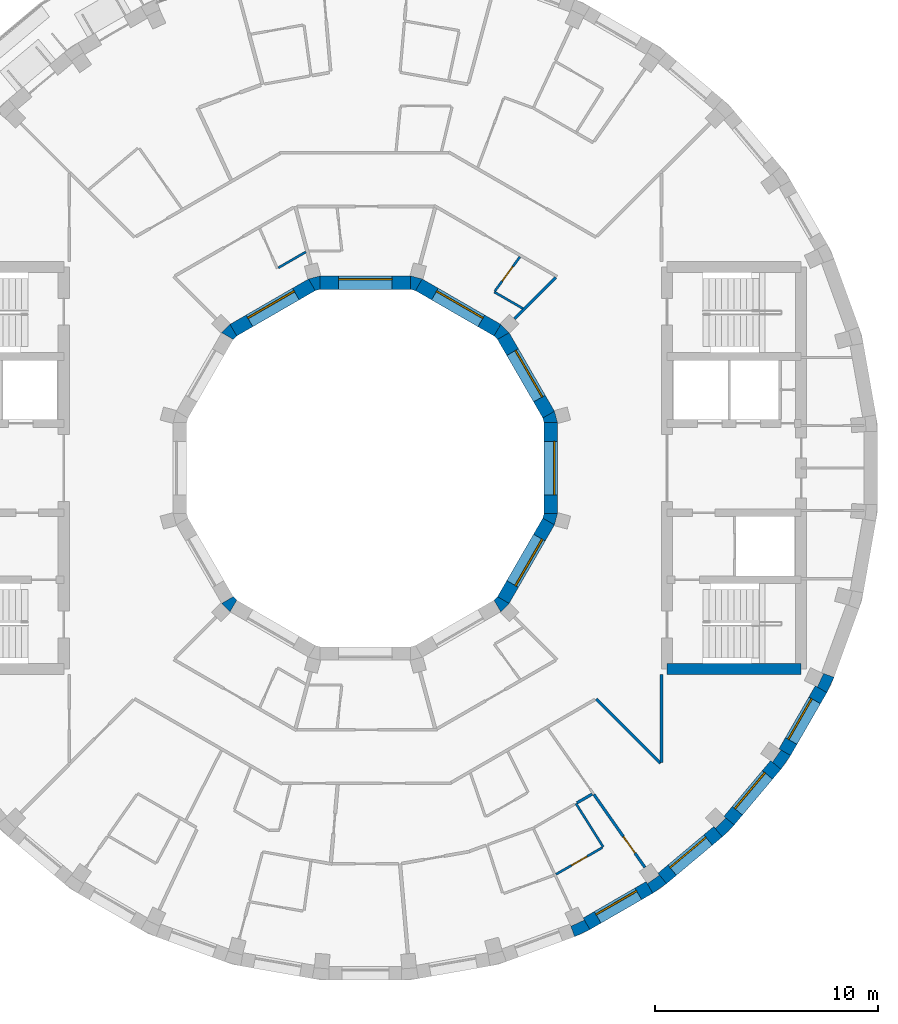
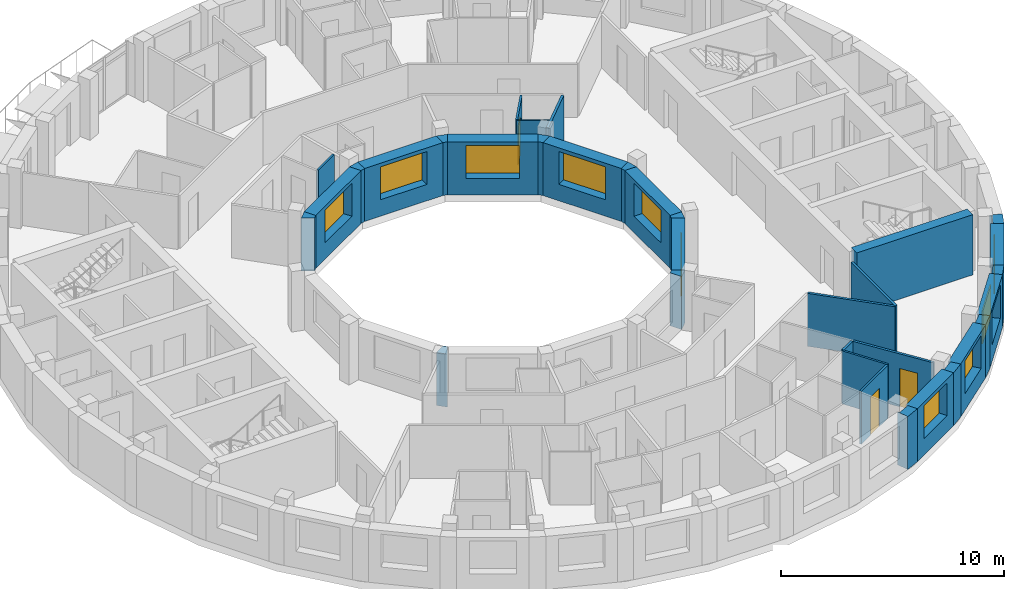
# One storey, part 7 of 12: 34 walls, 10 windows, 3 doors, 13 openings.
"""IFC4 building model written with IfcOpenShell, lengths in metres."""

from ifc_helpers import new_model, si_unit, direction, frame, frame_2d, origin, place, context, subcontext, project, spatial, polyline, rectangle, outline, extrude, material, layer, layer_set, type_object, element, fill, save


model = new_model("IFC4")

# Units and contexts
model_context = context("Model", 3, precision=1e-05, world=origin(), true_north=direction((0.0, 1.0)))
body_context = subcontext(model_context, "Body", "Model", "MODEL_VIEW")
ifc_project = project(units=[si_unit("LENGTHUNIT", "METRE"), si_unit("AREAUNIT", "SQUARE_METRE"), si_unit("VOLUMEUNIT", "CUBIC_METRE"), si_unit("PLANEANGLEUNIT", "RADIAN"), si_unit("MASSUNIT", "GRAM", prefix="KILO")], contexts=[model_context])

# Site, building, storey
site_placement = place(None, origin())
site = spatial("IfcSite", under=ifc_project, at=site_placement, CompositionType="ELEMENT")
building_placement = place(site_placement, origin())
building = spatial("IfcBuilding", under=site, at=building_placement, Name="Saqina Gate Tower", CompositionType="ELEMENT")
storey_placement = place(building_placement, frame((0.0, 0.0, 229.699951171875)))
storey = spatial("IfcBuildingStorey", under=building, at=storey_placement, Name="L65", CompositionType="ELEMENT", Elevation=229.699951171875)

# Walls
ifc_material_1 = material(Name="Brick masonry (buff)", Category="masonry")
wall_type_1 = type_object("IfcWallType", Name="BRICK PIER COPING BUFF", PredefinedType="SOLIDWALL", material=ifc_material_1)
wall_1_placement = place(storey_placement, origin())
element("IfcWall", 1, at=wall_1_placement, inside=storey, type_object=wall_type_1, Name="Pier cap L65 column 30", PredefinedType="SOLIDWALL", context=body_context, shape_type="SweptSolid", body=[
    extrude(outline(polyline([(9.3642578125, -20.974609375), (10.048095703125, -20.65576171875), (9.748291015625, -20.135986328125), (9.79296875, -20.23193359375), (9.203857421875, -20.506591796875), (9.1591796875, -20.410888671875), (9.3642578125, -20.974609375)])), origin(), (0.0, 0.0, 1.0), 2.900146484375),
])
wall_2_placement = place(storey_placement, origin())
element("IfcWall", 2, at=wall_2_placement, inside=storey, type_object=wall_type_1, Name="Pier cap L65 column 31", PredefinedType="SOLIDWALL", context=body_context, shape_type="SweptSolid", body=[
    extrude(outline(polyline([(12.8642578125, -19.02978515625), (13.482421875, -18.59716796875), (13.0966796875, -18.137451171875), (13.157470703125, -18.22412109375), (12.625, -18.596923828125), (12.564208984375, -18.51025390625), (12.8642578125, -19.02978515625)])), origin(), (0.0, 0.0, 1.0), 2.900146484375),
])
wall_3_placement = place(storey_placement, origin())
element("IfcWall", 3, at=wall_3_placement, inside=storey, type_object=wall_type_1, Name="Pier cap L65 column 32", PredefinedType="SOLIDWALL", context=body_context, shape_type="SweptSolid", body=[
    extrude(outline(polyline([(16.5068359375, -15.973388671875), (16.04736328125, -15.587646484375), (16.1220703125, -15.662353515625), (15.662353515625, -16.1220703125), (15.587646484375, -16.04736328125), (15.973388671875, -16.5068359375), (16.5068359375, -15.973388671875)])), origin(), (0.0, 0.0, 1.0), 2.900146484375),
])
wall_4_placement = place(storey_placement, origin())
element("IfcWall", 4, at=wall_4_placement, inside=storey, type_object=wall_type_1, Name="Pier cap L65 column 33", PredefinedType="SOLIDWALL", context=body_context, shape_type="SweptSolid", body=[
    extrude(outline(polyline([(19.02978515625, -12.8642578125), (18.51025390625, -12.564208984375), (18.596923828125, -12.625), (18.22412109375, -13.157470703125), (18.137451171875, -13.0966796875), (18.59716796875, -13.482421875), (19.02978515625, -12.8642578125)])), origin(), (0.0, 0.0, 1.0), 2.900146484375),
])
wall_5_placement = place(storey_placement, origin())
element("IfcWall", 5, at=wall_5_placement, inside=storey, type_object=wall_type_1, Name="Pier cap L65 column 34", PredefinedType="SOLIDWALL", context=body_context, shape_type="SweptSolid", body=[
    extrude(outline(polyline([(20.65576171875, -10.048095703125), (20.974609375, -9.3642578125), (20.410888671875, -9.1591796875), (20.506591796875, -9.203857421875), (20.23193359375, -9.79296875), (20.135986328125, -9.748291015625), (20.65576171875, -10.048095703125)])), origin(), (0.0, 0.0, 1.0), 2.900146484375),
])

# Wall, opening, window
ifc_material_2 = material(Name="Brick masonry (buff)", Category="masonry")
ifc_layer_1 = layer(ifc_material_2, 0.60009765625)
ifc_layer_set_1 = layer_set([ifc_layer_1], Name="FW-BRICK-BUFF")
wall_type_2 = type_object("IfcWallType", Name="FW-BRICK-BUFF", PredefinedType="SOLIDWALL", material=ifc_layer_set_1)
wall_6_placement = place(storey_placement, frame((9.898193359375, -20.39599609375, 0.0), z_axis=(0.0, 0.0, 1.0), x_axis=(0.866016800201, 0.500014901547, 0.0)))
wall_6 = element("IfcWall", 6, at=wall_6_placement, inside=storey, type_object=wall_type_2, Name="Facade wall L65 facet 30", PredefinedType="SOLIDWALL", context=body_context, shape_type="SweptSolid", body=[
    extrude(rectangle(XDim=3.251953125, YDim=0.60009765625, at=frame_2d((1.6259765625, 0.0))), origin(), (0.0, 0.0, 1.0), 2.900146484375),
])
opening_1_placement = place(wall_6_placement, frame((0.57568359375, 0.0, 0.89990234375)))
opening_1 = element("IfcOpeningElement", 7, at=opening_1_placement, cuts=wall_6, Name="Opening G19-W19", PredefinedType="OPENING", context=body_context, shape_type="SweptSolid", body=[
    extrude(rectangle(XDim=2.10009765625, YDim=1.800048828125, at=frame_2d((1.050048828125, 0.89990234375))), frame((0.0, 0.31201171875, 0.0), z_axis=(0.0, -1.0, 0.0), x_axis=(1.0, 0.0, 0.0)), (0.0, 0.0, 1.0), 0.6240234375),
])
ifc_material_3 = material(Name="Aluminium glazing", Category="aluminium")
window_type_1 = type_object("IfcWindowType", Name="WN-D", PartitioningType="SINGLE_PANEL", PredefinedType="WINDOW", material=ifc_material_3)
window_1_placement = place(opening_1_placement, origin())
window_1 = element("IfcWindow", 8, at=window_1_placement, inside=storey, type_object=window_type_1, Name="Window L65 facet 30", OverallHeight=1.800048828125, OverallWidth=2.10009765625, PartitioningType="SINGLE_PANEL", PredefinedType="WINDOW", context=body_context, shape_type="SweptSolid", body=[
    extrude(rectangle(XDim=2.10009765625, YDim=1.800048828125, at=frame_2d((1.050048828125, 0.89990234375))), frame((0.0, 0.179931640625, 0.0), z_axis=(0.0, -1.0, 0.0), x_axis=(1.0, 0.0, 0.0)), (0.0, 0.0, 1.0), 0.06005859375),
])
fill(opening_1, window_1)

wall_7_placement = place(storey_placement, frame((13.28955078125, -18.3671875, 0.0), z_axis=(0.0, 0.0, 1.0), x_axis=(0.766056773982, 0.64277291405, 0.0)))
wall_7 = element("IfcWall", 9, at=wall_7_placement, inside=storey, type_object=wall_type_2, Name="Facade wall L65 facet 31", PredefinedType="SOLIDWALL", context=body_context, shape_type="SweptSolid", body=[
    extrude(rectangle(XDim=3.251708984375, YDim=0.60009765625, at=frame_2d((1.6259765625, 0.0))), origin(), (0.0, 0.0, 1.0), 2.900146484375),
])
opening_2_placement = place(wall_7_placement, frame((0.57568359375, 0.0, 0.89990234375)))
opening_2 = element("IfcOpeningElement", 10, at=opening_2_placement, cuts=wall_7, Name="Opening G19-W20", PredefinedType="OPENING", context=body_context, shape_type="SweptSolid", body=[
    extrude(rectangle(XDim=2.10009765625, YDim=1.800048828125, at=frame_2d((1.050048828125, 0.89990234375))), frame((0.0, 0.31201171875, 0.0), z_axis=(0.0, -1.0, 0.0), x_axis=(1.0, 0.0, 0.0)), (0.0, 0.0, 1.0), 0.6240234375),
])
window_2_placement = place(opening_2_placement, origin())
window_2 = element("IfcWindow", 11, at=window_2_placement, inside=storey, type_object=window_type_1, Name="Window L65 facet 31", OverallHeight=1.800048828125, OverallWidth=2.10009765625, PartitioningType="SINGLE_PANEL", PredefinedType="WINDOW", context=body_context, shape_type="SweptSolid", body=[
    extrude(rectangle(XDim=2.10009765625, YDim=1.800048828125, at=frame_2d((1.050048828125, 0.89990234375))), frame((0.0, 0.179931640625, 0.0), z_axis=(0.0, -1.0, 0.0), x_axis=(1.0, 0.0, 0.0)), (0.0, 0.0, 1.0), 0.06005859375),
])
fill(opening_2, window_2)

wall_8_placement = place(storey_placement, frame((16.277099609375, -15.780517578125, 0.0), z_axis=(0.0, 0.0, 1.0), x_axis=(0.64277291405, 0.766056773982, 0.0)))
wall_8 = element("IfcWall", 12, at=wall_8_placement, inside=storey, type_object=wall_type_2, Name="Facade wall L65 facet 32", PredefinedType="SOLIDWALL", context=body_context, shape_type="SweptSolid", body=[
    extrude(rectangle(XDim=3.251708984375, YDim=0.60009765625, at=frame_2d((1.6259765625, 0.0))), origin(), (0.0, 0.0, 1.0), 2.900146484375),
])
opening_3_placement = place(wall_8_placement, frame((0.57568359375, 0.0, 0.89990234375)))
opening_3 = element("IfcOpeningElement", 13, at=opening_3_placement, cuts=wall_8, Name="Opening G19-W21", PredefinedType="OPENING", context=body_context, shape_type="SweptSolid", body=[
    extrude(rectangle(XDim=2.10009765625, YDim=1.800048828125, at=frame_2d((1.050048828125, 0.89990234375))), frame((0.0, 0.31201171875, 0.0), z_axis=(0.0, -1.0, 0.0), x_axis=(1.0, 0.0, 0.0)), (0.0, 0.0, 1.0), 0.6240234375),
])
window_3_placement = place(opening_3_placement, origin())
window_3 = element("IfcWindow", 14, at=window_3_placement, inside=storey, type_object=window_type_1, Name="Window L65 facet 32", OverallHeight=1.800048828125, OverallWidth=2.10009765625, PartitioningType="SINGLE_PANEL", PredefinedType="WINDOW", context=body_context, shape_type="SweptSolid", body=[
    extrude(rectangle(XDim=2.10009765625, YDim=1.800048828125, at=frame_2d((1.050048828125, 0.89990234375))), frame((0.0, 0.179931640625, 0.0), z_axis=(0.0, -1.0, 0.0), x_axis=(1.0, 0.0, 0.0)), (0.0, 0.0, 1.0), 0.06005859375),
])
fill(opening_3, window_3)

wall_9_placement = place(storey_placement, frame((18.77001953125, -12.71435546875, 0.0), z_axis=(0.0, 0.0, 1.0), x_axis=(0.500014901547, 0.866016800201, 0.0)))
wall_9 = element("IfcWall", 15, at=wall_9_placement, inside=storey, type_object=wall_type_2, Name="Facade wall L65 facet 33", PredefinedType="SOLIDWALL", context=body_context, shape_type="SweptSolid", body=[
    extrude(rectangle(XDim=3.251953125, YDim=0.60009765625, at=frame_2d((1.6259765625, 0.0))), origin(), (0.0, 0.0, 1.0), 2.900146484375),
])
opening_4_placement = place(wall_9_placement, frame((0.57568359375, 0.0, 0.89990234375)))
opening_4 = element("IfcOpeningElement", 16, at=opening_4_placement, cuts=wall_9, Name="Opening G19-W22", PredefinedType="OPENING", context=body_context, shape_type="SweptSolid", body=[
    extrude(rectangle(XDim=2.10009765625, YDim=1.800048828125, at=frame_2d((1.050048828125, 0.89990234375))), frame((0.0, 0.31201171875, 0.0), z_axis=(0.0, -1.0, 0.0), x_axis=(1.0, 0.0, 0.0)), (0.0, 0.0, 1.0), 0.6240234375),
])
window_4_placement = place(opening_4_placement, origin())
window_4 = element("IfcWindow", 17, at=window_4_placement, inside=storey, type_object=window_type_1, Name="Window L65 facet 33", OverallHeight=1.800048828125, OverallWidth=2.10009765625, PartitioningType="SINGLE_PANEL", PredefinedType="WINDOW", context=body_context, shape_type="SweptSolid", body=[
    extrude(rectangle(XDim=2.10009765625, YDim=1.800048828125, at=frame_2d((1.050048828125, 0.89990234375))), frame((0.0, 0.179931640625, 0.0), z_axis=(0.0, -1.0, 0.0), x_axis=(1.0, 0.0, 0.0)), (0.0, 0.0, 1.0), 0.06005859375),
])
fill(opening_4, window_4)

ifc_material_4 = material(Name="Glazed ceramic tile", Category="ceramic")
ifc_layer_2 = layer(ifc_material_4, 0.60009765625)
ifc_layer_set_2 = layer_set([ifc_layer_2], Name="IW-TILE")
wall_type_3 = type_object("IfcWallType", Name="IW-TILE", PredefinedType="SOLIDWALL", material=ifc_layer_set_2)
wall_10_placement = place(storey_placement, frame((8.20263671875, 2.392578125, 0.0), z_axis=(0.0, 0.0, 1.0), x_axis=(-0.499994954979, 0.866028316509, 0.0)))
wall_10 = element("IfcWall", 18, at=wall_10_placement, inside=storey, type_object=wall_type_3, Name="Well wall L65 facet 1", PredefinedType="SOLIDWALL", context=body_context, shape_type="SweptSolid", body=[
    extrude(rectangle(XDim=4.05859375, YDim=0.60009765625, at=frame_2d((2.029296875, 0.0))), origin(), (0.0, 0.0, 1.0), 2.900146484375),
])
opening_5_placement = place(wall_10_placement, frame((0.829345703125, 0.0, 0.89990234375)))
opening_5 = element("IfcOpeningElement", 19, at=opening_5_placement, cuts=wall_10, Name="Opening G19-W23", PredefinedType="OPENING", context=body_context, shape_type="SweptSolid", body=[
    extrude(rectangle(XDim=2.39990234375, YDim=1.800048828125, at=frame_2d((1.199951171875, 0.89990234375))), frame((0.0, 0.31201171875, 0.0), z_axis=(0.0, -1.0, 0.0), x_axis=(1.0, 0.0, 0.0)), (0.0, 0.0, 1.0), 0.6240234375),
])
ifc_material_5 = material(Name="Aluminium glazing", Category="aluminium")
window_type_2 = type_object("IfcWindowType", Name="WN-W", PartitioningType="SINGLE_PANEL", PredefinedType="WINDOW", material=ifc_material_5)
window_5_placement = place(opening_5_placement, origin())
window_5 = element("IfcWindow", 20, at=window_5_placement, inside=storey, type_object=window_type_2, Name="Well window L65 facet 1", OverallHeight=1.800048828125, OverallWidth=2.39990234375, PartitioningType="SINGLE_PANEL", PredefinedType="WINDOW", context=body_context, shape_type="SweptSolid", body=[
    extrude(rectangle(XDim=2.39990234375, YDim=1.800048828125, at=frame_2d((1.199951171875, 0.89990234375))), frame((0.0, -0.119873046875, 0.0), z_axis=(0.0, -1.0, 0.0), x_axis=(1.0, 0.0, 0.0)), (0.0, 0.0, 1.0), 0.06005859375),
])
fill(opening_5, window_5)

wall_11_placement = place(storey_placement, frame((5.907470703125, 6.17333984375, 0.0), z_axis=(0.0, 0.0, 1.0), x_axis=(-0.866028316509, 0.499994954979, 0.0)))
wall_11 = element("IfcWall", 21, at=wall_11_placement, inside=storey, type_object=wall_type_3, Name="Well wall L65 facet 2", PredefinedType="SOLIDWALL", context=body_context, shape_type="SweptSolid", body=[
    extrude(rectangle(XDim=4.05859375, YDim=0.60009765625, at=frame_2d((2.029296875, 0.0))), origin(), (0.0, 0.0, 1.0), 2.900146484375),
])
opening_6_placement = place(wall_11_placement, frame((0.829345703125, 0.0, 0.89990234375)))
opening_6 = element("IfcOpeningElement", 22, at=opening_6_placement, cuts=wall_11, Name="Opening G19-W24", PredefinedType="OPENING", context=body_context, shape_type="SweptSolid", body=[
    extrude(rectangle(XDim=2.39990234375, YDim=1.800048828125, at=frame_2d((1.199951171875, 0.89990234375))), frame((0.0, 0.31201171875, 0.0), z_axis=(0.0, -1.0, 0.0), x_axis=(1.0, 0.0, 0.0)), (0.0, 0.0, 1.0), 0.6240234375),
])
window_6_placement = place(opening_6_placement, origin())
window_6 = element("IfcWindow", 23, at=window_6_placement, inside=storey, type_object=window_type_2, Name="Well window L65 facet 2", OverallHeight=1.800048828125, OverallWidth=2.39990234375, PartitioningType="SINGLE_PANEL", PredefinedType="WINDOW", context=body_context, shape_type="SweptSolid", body=[
    extrude(rectangle(XDim=2.39990234375, YDim=1.800048828125, at=frame_2d((1.199951171875, 0.89990234375))), frame((0.0, -0.119873046875, 0.0), z_axis=(0.0, -1.0, 0.0), x_axis=(1.0, 0.0, 0.0)), (0.0, 0.0, 1.0), 0.06005859375),
])
fill(opening_6, window_6)

wall_12_placement = place(storey_placement, frame((2.029296875, 8.300048828125, 0.0), z_axis=(0.0, 0.0, 1.0), x_axis=(-1.0, 0.0, 0.0)))
wall_12 = element("IfcWall", 24, at=wall_12_placement, inside=storey, type_object=wall_type_3, Name="Well wall L65 facet 3", PredefinedType="SOLIDWALL", context=body_context, shape_type="SweptSolid", body=[
    extrude(rectangle(XDim=4.05859375, YDim=0.60009765625, at=frame_2d((2.029296875, 0.0))), origin(), (0.0, 0.0, 1.0), 2.900146484375),
])
opening_7_placement = place(wall_12_placement, frame((0.829345703125, 0.0, 0.89990234375)))
opening_7 = element("IfcOpeningElement", 25, at=opening_7_placement, cuts=wall_12, Name="Opening G19-W25", PredefinedType="OPENING", context=body_context, shape_type="SweptSolid", body=[
    extrude(rectangle(XDim=2.39990234375, YDim=1.800048828125, at=frame_2d((1.199951171875, 0.89990234375))), frame((0.0, 0.31201171875, 0.0), z_axis=(0.0, -1.0, 0.0), x_axis=(1.0, 0.0, 0.0)), (0.0, 0.0, 1.0), 0.6240234375),
])
window_7_placement = place(opening_7_placement, origin())
window_7 = element("IfcWindow", 26, at=window_7_placement, inside=storey, type_object=window_type_2, Name="Well window L65 facet 3", OverallHeight=1.800048828125, OverallWidth=2.39990234375, PartitioningType="SINGLE_PANEL", PredefinedType="WINDOW", context=body_context, shape_type="SweptSolid", body=[
    extrude(rectangle(XDim=2.39990234375, YDim=1.800048828125, at=frame_2d((1.199951171875, 0.89990234375))), frame((0.0, -0.119873046875, 0.0), z_axis=(0.0, -1.0, 0.0), x_axis=(1.0, 0.0, 0.0)), (0.0, 0.0, 1.0), 0.06005859375),
])
fill(opening_7, window_7)

wall_13_placement = place(storey_placement, frame((-2.392578125, 8.20263671875, 0.0), z_axis=(0.0, 0.0, 1.0), x_axis=(-0.866028316509, -0.499994954979, 0.0)))
wall_13 = element("IfcWall", 27, at=wall_13_placement, inside=storey, type_object=wall_type_3, Name="Well wall L65 facet 4", PredefinedType="SOLIDWALL", context=body_context, shape_type="SweptSolid", body=[
    extrude(rectangle(XDim=4.05859375, YDim=0.60009765625, at=frame_2d((2.029296875, 0.0))), origin(), (0.0, 0.0, 1.0), 2.900146484375),
])
opening_8_placement = place(wall_13_placement, frame((0.829345703125, 0.0, 0.89990234375)))
opening_8 = element("IfcOpeningElement", 28, at=opening_8_placement, cuts=wall_13, Name="Opening G19-W26", PredefinedType="OPENING", context=body_context, shape_type="SweptSolid", body=[
    extrude(rectangle(XDim=2.39990234375, YDim=1.800048828125, at=frame_2d((1.199951171875, 0.89990234375))), frame((0.0, 0.31201171875, 0.0), z_axis=(0.0, -1.0, 0.0), x_axis=(1.0, 0.0, 0.0)), (0.0, 0.0, 1.0), 0.6240234375),
])
window_8_placement = place(opening_8_placement, origin())
window_8 = element("IfcWindow", 29, at=window_8_placement, inside=storey, type_object=window_type_2, Name="Well window L65 facet 4", OverallHeight=1.800048828125, OverallWidth=2.39990234375, PartitioningType="SINGLE_PANEL", PredefinedType="WINDOW", context=body_context, shape_type="SweptSolid", body=[
    extrude(rectangle(XDim=2.39990234375, YDim=1.800048828125, at=frame_2d((1.199951171875, 0.89990234375))), frame((0.0, -0.119873046875, 0.0), z_axis=(0.0, -1.0, 0.0), x_axis=(1.0, 0.0, 0.0)), (0.0, 0.0, 1.0), 0.06005859375),
])
fill(opening_8, window_8)

wall_14_placement = place(storey_placement, frame((6.17333984375, -5.907470703125, 0.0), z_axis=(0.0, 0.0, 1.0), x_axis=(0.499994954979, 0.866028316509, 0.0)))
wall_14 = element("IfcWall", 30, at=wall_14_placement, inside=storey, type_object=wall_type_3, Name="Well wall L65 facet 11", PredefinedType="SOLIDWALL", context=body_context, shape_type="SweptSolid", body=[
    extrude(rectangle(XDim=4.05859375, YDim=0.60009765625, at=frame_2d((2.029296875, 0.0))), origin(), (0.0, 0.0, 1.0), 2.900146484375),
])
opening_9_placement = place(wall_14_placement, frame((0.829345703125, 0.0, 0.89990234375)))
opening_9 = element("IfcOpeningElement", 31, at=opening_9_placement, cuts=wall_14, Name="Opening G19-W33", PredefinedType="OPENING", context=body_context, shape_type="SweptSolid", body=[
    extrude(rectangle(XDim=2.39990234375, YDim=1.800048828125, at=frame_2d((1.199951171875, 0.89990234375))), frame((0.0, 0.31201171875, 0.0), z_axis=(0.0, -1.0, 0.0), x_axis=(1.0, 0.0, 0.0)), (0.0, 0.0, 1.0), 0.6240234375),
])
window_9_placement = place(opening_9_placement, origin())
window_9 = element("IfcWindow", 32, at=window_9_placement, inside=storey, type_object=window_type_2, Name="Well window L65 facet 11", OverallHeight=1.800048828125, OverallWidth=2.39990234375, PartitioningType="SINGLE_PANEL", PredefinedType="WINDOW", context=body_context, shape_type="SweptSolid", body=[
    extrude(rectangle(XDim=2.39990234375, YDim=1.800048828125, at=frame_2d((1.199951171875, 0.89990234375))), frame((0.0, -0.119873046875, 0.0), z_axis=(0.0, -1.0, 0.0), x_axis=(1.0, 0.0, 0.0)), (0.0, 0.0, 1.0), 0.06005859375),
])
fill(opening_9, window_9)

wall_15_placement = place(storey_placement, frame((8.300048828125, -2.029296875, 0.0), z_axis=(0.0, 0.0, 1.0), x_axis=(0.0, 1.0, 0.0)))
wall_15 = element("IfcWall", 33, at=wall_15_placement, inside=storey, type_object=wall_type_3, Name="Well wall L65 facet 12", PredefinedType="SOLIDWALL", context=body_context, shape_type="SweptSolid", body=[
    extrude(rectangle(XDim=4.05859375, YDim=0.60009765625, at=frame_2d((2.029296875, 0.0))), origin(), (0.0, 0.0, 1.0), 2.900146484375),
])
opening_10_placement = place(wall_15_placement, frame((0.829345703125, 0.0, 0.89990234375)))
opening_10 = element("IfcOpeningElement", 34, at=opening_10_placement, cuts=wall_15, Name="Opening G19-W34", PredefinedType="OPENING", context=body_context, shape_type="SweptSolid", body=[
    extrude(rectangle(XDim=2.39990234375, YDim=1.800048828125, at=frame_2d((1.199951171875, 0.89990234375))), frame((0.0, 0.31201171875, 0.0), z_axis=(0.0, -1.0, 0.0), x_axis=(1.0, 0.0, 0.0)), (0.0, 0.0, 1.0), 0.6240234375),
])
window_10_placement = place(opening_10_placement, origin())
window_10 = element("IfcWindow", 35, at=window_10_placement, inside=storey, type_object=window_type_2, Name="Well window L65 facet 12", OverallHeight=1.800048828125, OverallWidth=2.39990234375, PartitioningType="SINGLE_PANEL", PredefinedType="WINDOW", context=body_context, shape_type="SweptSolid", body=[
    extrude(rectangle(XDim=2.39990234375, YDim=1.800048828125, at=frame_2d((1.199951171875, 0.89990234375))), frame((0.0, -0.119873046875, 0.0), z_axis=(0.0, -1.0, 0.0), x_axis=(1.0, 0.0, 0.0)), (0.0, 0.0, 1.0), 0.06005859375),
])
fill(opening_10, window_10)

# Walls
ifc_material_6 = material(Name="Gypsum board on steel studs, 100 mm", Category="steel")
ifc_layer_3 = layer(ifc_material_6, 0.10009765625)
ifc_layer_set_3 = layer_set([ifc_layer_3], Name="PARTITION 100")
wall_type_4 = type_object("IfcWallType", Name="PARTITION 100", PredefinedType="PARTITIONING", material=ifc_layer_set_3)
wall_16_placement = place(storey_placement, frame((9.423095703125, -15.011962890625, 0.0), z_axis=(0.0, 0.0, 1.0), x_axis=(0.531608930636, -0.846989931975, 0.0)))
element("IfcWall", 36, at=wall_16_placement, inside=storey, type_object=wall_type_4, Name="PARTITION PW3-08", PredefinedType="PARTITIONING", context=body_context, shape_type="SweptSolid", body=[
    extrude(rectangle(XDim=2.30224609375, YDim=0.10009765625, at=frame_2d((1.151123046875, 0.0))), origin(), (0.0, 0.0, 1.0), 2.900146484375),
])
wall_17_placement = place(storey_placement, frame((5.76708984375, 7.882080078125, 0.0), z_axis=(0.0, 0.0, 1.0), x_axis=(0.866040576453, -0.499973719246, 0.0)))
element("IfcWall", 37, at=wall_17_placement, inside=storey, type_object=wall_type_4, Name="PARTITION PW3-17", PredefinedType="PARTITIONING", context=body_context, shape_type="SweptSolid", body=[
    extrude(rectangle(XDim=1.48583984375, YDim=0.10009765625, at=frame_2d((0.742919921875, 0.0))), origin(), (0.0, 0.0, 1.0), 2.900146484375),
])

# Wall, opening, door
wall_18_placement = place(storey_placement, frame((8.533203125, -18.181884765625, 0.0), z_axis=(0.0, 0.0, 1.0), x_axis=(0.866136275394, 0.49980791555, 0.0)))
wall_18 = element("IfcWall", 38, at=wall_18_placement, inside=storey, type_object=wall_type_4, Name="PARTITION PW3-33", PredefinedType="PARTITIONING", context=body_context, shape_type="SweptSolid", body=[
    extrude(rectangle(XDim=2.390625, YDim=0.10009765625, at=frame_2d((1.1953125, 0.0))), origin(), (0.0, 0.0, 1.0), 2.900146484375),
])
opening_11_placement = place(wall_18_placement, frame((0.79541015625, 0.0, 0.0)))
opening_11 = element("IfcOpeningElement", 39, at=opening_11_placement, cuts=wall_18, Name="Opening G19-D40", PredefinedType="OPENING", context=body_context, shape_type="SweptSolid", body=[
    extrude(rectangle(XDim=0.800048828125, YDim=2.10009765625, at=frame_2d((0.39990234375, 1.050048828125))), frame((0.0, 0.06201171875, 0.0), z_axis=(0.0, -1.0, 0.0), x_axis=(1.0, 0.0, 0.0)), (0.0, 0.0, 1.0), 0.1240234375),
])
ifc_material_7 = material(Name="Timber door leaf, 800 mm", Category="wood")
door_type_1 = type_object("IfcDoorType", Name="DOOR 800 TIMBER", OperationType="SINGLE_SWING_LEFT", PredefinedType="DOOR", material=ifc_material_7)
door_1_placement = place(opening_11_placement, frame((0.800048828125, 0.0, 0.0), z_axis=(0.0, 0.0, 1.0), x_axis=(-1.0, 0.0, 0.0)))
door_1 = element("IfcDoor", 40, at=door_1_placement, inside=storey, type_object=door_type_1, Name="DOOR G19-D40", OperationType="SINGLE_SWING_LEFT", OverallHeight=2.10009765625, OverallWidth=0.800048828125, PredefinedType="DOOR", context=body_context, shape_type="SweptSolid", body=[
    extrude(rectangle(XDim=0.800048828125, YDim=2.10009765625, at=frame_2d((0.39990234375, 1.050048828125))), frame((0.0, 0.02490234375, 0.0), z_axis=(0.0, -1.0, 0.0), x_axis=(1.0, 0.0, 0.0)), (0.0, 0.0, 1.0), 0.050048828125),
])
fill(opening_11, door_1)

# Wall
wall_19_placement = place(storey_placement, frame((-3.899658203125, 8.9609375, 0.0), z_axis=(0.0, 0.0, 1.0), x_axis=(0.866028486751, 0.499994660107, 0.0)))
element("IfcWall", 41, at=wall_19_placement, inside=storey, type_object=wall_type_4, Name="PARTITION PW3-37", PredefinedType="PARTITIONING", context=body_context, shape_type="SweptSolid", body=[
    extrude(rectangle(XDim=1.42333984375, YDim=0.10009765625, at=frame_2d((0.711669921875, 0.0))), origin(), (0.0, 0.0, 1.0), 2.900146484375),
])

# Wall, opening, door
wall_20_placement = place(storey_placement, frame((5.796630859375, 7.92236328125, 0.0), z_axis=(0.0, 0.0, 1.0), x_axis=(0.59039359818, 0.807115480726, 0.0)))
wall_20 = element("IfcWall", 42, at=wall_20_placement, inside=storey, type_object=wall_type_4, Name="PARTITION PW3-39", PredefinedType="PARTITIONING", context=body_context, shape_type="SweptSolid", body=[
    extrude(rectangle(XDim=1.8994140625, YDim=0.10009765625, at=frame_2d((0.94970703125, 0.0))), origin(), (0.0, 0.0, 1.0), 2.900146484375),
])
opening_12_placement = place(wall_20_placement, frame((0.55615234375, 0.0, 0.0)))
opening_12 = element("IfcOpeningElement", 43, at=opening_12_placement, cuts=wall_20, Name="Opening G19-D02", PredefinedType="OPENING", context=body_context, shape_type="SweptSolid", body=[
    extrude(rectangle(XDim=0.800048828125, YDim=2.10009765625, at=frame_2d((0.39990234375, 1.050048828125))), frame((0.0, 0.06201171875, 0.0), z_axis=(0.0, -1.0, 0.0), x_axis=(1.0, 0.0, 0.0)), (0.0, 0.0, 1.0), 0.1240234375),
])
door_2_placement = place(opening_12_placement, origin())
door_2 = element("IfcDoor", 44, at=door_2_placement, inside=storey, type_object=door_type_1, Name="DOOR G19-D02", OperationType="SINGLE_SWING_RIGHT", OverallHeight=2.10009765625, OverallWidth=0.800048828125, PredefinedType="DOOR", context=body_context, shape_type="SweptSolid", body=[
    extrude(rectangle(XDim=0.800048828125, YDim=2.10009765625, at=frame_2d((0.39990234375, 1.050048828125))), frame((0.0, 0.02490234375, 0.0), z_axis=(0.0, -1.0, 0.0), x_axis=(1.0, 0.0, 0.0)), (0.0, 0.0, 1.0), 0.050048828125),
])
fill(opening_12, door_2)

ifc_material_8 = material(Name="Gypsum board on steel studs, 125 mm, fire rated", Category="steel")
ifc_layer_4 = layer(ifc_material_8, 0.125)
ifc_layer_set_4 = layer_set([ifc_layer_4], Name="PARTITION EI 30 125")
wall_type_5 = type_object("IfcWallType", Name="PARTITION EI 30 125", PredefinedType="PARTITIONING", material=ifc_layer_set_4)
wall_21_placement = place(storey_placement, frame((10.224853515625, -14.607177734375, 0.0), z_axis=(0.0, 0.0, 1.0), x_axis=(0.573696694948, -0.819067825156, 0.0)))
wall_21 = element("IfcWall", 45, at=wall_21_placement, inside=storey, type_object=wall_type_5, Name="PARTITION PW1-03", PredefinedType="PARTITIONING", context=body_context, shape_type="SweptSolid", body=[
    extrude(rectangle(XDim=3.98486328125, YDim=0.125, at=frame_2d((1.992431640625, 0.0))), origin(), (0.0, 0.0, 1.0), 2.900146484375),
])
opening_13_placement = place(wall_21_placement, frame((2.308837890625, 0.0, 0.0)))
opening_13 = element("IfcOpeningElement", 46, at=opening_13_placement, cuts=wall_21, Name="Opening G19-D43", PredefinedType="OPENING", context=body_context, shape_type="SweptSolid", body=[
    extrude(rectangle(XDim=0.89990234375, YDim=2.10009765625, at=frame_2d((0.449951171875, 1.050048828125))), frame((0.0, 0.074462890625, 0.0), z_axis=(0.0, -1.0, 0.0), x_axis=(1.0, 0.0, 0.0)), (0.0, 0.0, 1.0), 0.14892578125),
])
ifc_material_9 = material(Name="Fire door leaf EI 30, 900 mm")
door_type_2 = type_object("IfcDoorType", Name="DOOR 900 EI 30", OperationType="SINGLE_SWING_LEFT", PredefinedType="DOOR", material=ifc_material_9)
door_3_placement = place(opening_13_placement, origin())
door_3 = element("IfcDoor", 47, at=door_3_placement, inside=storey, type_object=door_type_2, Name="DOOR G19-D43", OperationType="SINGLE_SWING_RIGHT", OverallHeight=2.10009765625, OverallWidth=0.89990234375, PredefinedType="DOOR", context=body_context, shape_type="SweptSolid", body=[
    extrude(rectangle(XDim=0.89990234375, YDim=2.10009765625, at=frame_2d((0.449951171875, 1.050048828125))), frame((0.0, 0.02490234375, 0.0), z_axis=(0.0, -1.0, 0.0), x_axis=(1.0, 0.0, 0.0)), (0.0, 0.0, 1.0), 0.050048828125),
])
fill(opening_13, door_3)

# Walls
wall_22_placement = place(storey_placement, frame((10.330078125, -10.327880859375, 0.0), z_axis=(0.0, 0.0, 1.0), x_axis=(0.707076776443, -0.707136784657, 0.0)))
element("IfcWall", 48, at=wall_22_placement, inside=storey, type_object=wall_type_5, Name="PARTITION PW1-07", PredefinedType="PARTITIONING", context=body_context, shape_type="SweptSolid", body=[
    extrude(rectangle(XDim=4.068359375, YDim=0.125, at=frame_2d((2.0341796875, 0.0))), origin(), (0.0, 0.0, 1.0), 2.900146484375),
])
wall_23_placement = place(storey_placement, frame((9.4658203125, -14.986328125, 0.0), z_axis=(0.0, 0.0, 1.0), x_axis=(0.866569975824, 0.499055585082, 0.0)))
element("IfcWall", 49, at=wall_23_placement, inside=storey, type_object=wall_type_5, Name="PARTITION PW1-24", PredefinedType="PARTITIONING", context=body_context, shape_type="SweptSolid", body=[
    extrude(rectangle(XDim=0.79248046875, YDim=0.125, at=frame_2d((0.396240234375, 0.0))), origin(), (0.0, 0.0, 1.0), 2.900146484375),
])
wall_24_placement = place(storey_placement, frame((6.6767578125, 6.6767578125, 0.0), z_axis=(0.0, 0.0, 1.0), x_axis=(0.707106781187, 0.707106781187, 0.0)))
element("IfcWall", 50, at=wall_24_placement, inside=storey, type_object=wall_type_5, Name="PARTITION PW1-31", PredefinedType="PARTITIONING", context=body_context, shape_type="SweptSolid", body=[
    extrude(rectangle(XDim=2.617919921875, YDim=0.125, at=frame_2d((1.30908203125, 0.0))), origin(), (0.0, 0.0, 1.0), 2.900146484375),
])
wall_25_placement = place(storey_placement, frame((13.25, -13.1875, 0.0), z_axis=(0.0, 0.0, 1.0), x_axis=(0.0, 1.0, 0.0)))
element("IfcWall", 51, at=wall_25_placement, inside=storey, type_object=wall_type_5, Name="PARTITION PW1-40", PredefinedType="PARTITIONING", context=body_context, shape_type="SweptSolid", body=[
    extrude(rectangle(XDim=3.9375, YDim=0.125, at=frame_2d((1.96875, 0.0))), origin(), (0.0, 0.0, 1.0), 2.900146484375),
])
ifc_material_10 = material(Name="Concrete C60/75", Category="concrete")
ifc_layer_5 = layer(ifc_material_10, 0.5)
ifc_layer_set_5 = layer_set([ifc_layer_5], Name="Concrete C60/75")
wall_type_6 = type_object("IfcWallType", Name="STR-CORE WALL-D-O", PredefinedType="SHEAR", material=ifc_layer_set_5)
wall_26_placement = place(storey_placement, frame((13.5, -9.0, 0.0), z_axis=(0.0, 0.0, 1.0), x_axis=(1.0, 0.0, 0.0)))
element("IfcWall", 52, at=wall_26_placement, inside=storey, type_object=wall_type_6, Name="CORE WALL L65 E-SE", PredefinedType="SHEAR", context=body_context, shape_type="SweptSolid", body=[
    extrude(rectangle(XDim=6.0, YDim=0.5, at=frame_2d((3.0, 0.0))), origin(), (0.0, 0.0, 1.0), 3.300048828125),
])
ifc_material_11 = material(Name="Glazed ceramic tile", Category="ceramic")
wall_type_7 = type_object("IfcWallType", Name="TILE PIER COPING", PredefinedType="SOLIDWALL", material=ifc_material_11)
wall_27_placement = place(storey_placement, origin())
element("IfcWall", 53, at=wall_27_placement, inside=storey, type_object=wall_type_7, Name="Well pier cap L65 column 1", PredefinedType="SOLIDWALL", context=body_context, shape_type="SweptSolid", body=[
    extrude(outline(polyline([(8.46240234375, 2.54248046875), (7.94287109375, 2.242431640625), (8.0, 2.029296875), (8.60009765625, 2.029296875), (8.46240234375, 2.54248046875)])), origin(), (0.0, 0.0, 1.0), 2.900146484375),
])
wall_28_placement = place(storey_placement, origin())
element("IfcWall", 54, at=wall_28_placement, inside=storey, type_object=wall_type_7, Name="Well pier cap L65 column 2", PredefinedType="SOLIDWALL", context=body_context, shape_type="SweptSolid", body=[
    extrude(outline(polyline([(6.0576171875, 6.43310546875), (5.757568359375, 5.91357421875), (5.91357421875, 5.757568359375), (6.43310546875, 6.0576171875), (6.0576171875, 6.43310546875)])), origin(), (0.0, 0.0, 1.0), 2.900146484375),
])
wall_29_placement = place(storey_placement, origin())
element("IfcWall", 55, at=wall_29_placement, inside=storey, type_object=wall_type_7, Name="Well pier cap L65 column 3", PredefinedType="SOLIDWALL", context=body_context, shape_type="SweptSolid", body=[
    extrude(outline(polyline([(2.029296875, 8.60009765625), (2.029296875, 8.0), (2.242431640625, 7.94287109375), (2.54248046875, 8.46240234375), (2.029296875, 8.60009765625)])), origin(), (0.0, 0.0, 1.0), 2.900146484375),
])
wall_30_placement = place(storey_placement, origin())
element("IfcWall", 56, at=wall_30_placement, inside=storey, type_object=wall_type_7, Name="Well pier cap L65 column 4", PredefinedType="SOLIDWALL", context=body_context, shape_type="SweptSolid", body=[
    extrude(outline(polyline([(-2.54248046875, 8.46240234375), (-2.242431640625, 7.94287109375), (-2.029296875, 8.0), (-2.029296875, 8.60009765625), (-2.54248046875, 8.46240234375)])), origin(), (0.0, 0.0, 1.0), 2.900146484375),
])
wall_31_placement = place(storey_placement, origin())
element("IfcWall", 57, at=wall_31_placement, inside=storey, type_object=wall_type_7, Name="Well pier cap L65 column 5", PredefinedType="SOLIDWALL", context=body_context, shape_type="SweptSolid", body=[
    extrude(outline(polyline([(-6.43310546875, 6.0576171875), (-5.91357421875, 5.757568359375), (-5.757568359375, 5.91357421875), (-6.0576171875, 6.43310546875), (-6.43310546875, 6.0576171875)])), origin(), (0.0, 0.0, 1.0), 2.900146484375),
])
wall_32_placement = place(storey_placement, origin())
element("IfcWall", 58, at=wall_32_placement, inside=storey, type_object=wall_type_7, Name="Well pier cap L65 column 8", PredefinedType="SOLIDWALL", context=body_context, shape_type="SweptSolid", body=[
    extrude(outline(polyline([(-6.0576171875, -6.43310546875), (-5.757568359375, -5.91357421875), (-5.91357421875, -5.757568359375), (-6.43310546875, -6.0576171875), (-6.0576171875, -6.43310546875)])), origin(), (0.0, 0.0, 1.0), 2.900146484375),
])
wall_33_placement = place(storey_placement, origin())
element("IfcWall", 59, at=wall_33_placement, inside=storey, type_object=wall_type_7, Name="Well pier cap L65 column 11", PredefinedType="SOLIDWALL", context=body_context, shape_type="SweptSolid", body=[
    extrude(outline(polyline([(6.43310546875, -6.0576171875), (5.91357421875, -5.757568359375), (5.757568359375, -5.91357421875), (6.0576171875, -6.43310546875), (6.43310546875, -6.0576171875)])), origin(), (0.0, 0.0, 1.0), 2.900146484375),
])
wall_34_placement = place(storey_placement, origin())
element("IfcWall", 60, at=wall_34_placement, inside=storey, type_object=wall_type_7, Name="Well pier cap L65 column 12", PredefinedType="SOLIDWALL", context=body_context, shape_type="SweptSolid", body=[
    extrude(outline(polyline([(8.60009765625, -2.029296875), (8.0, -2.029296875), (7.94287109375, -2.242431640625), (8.46240234375, -2.54248046875), (8.60009765625, -2.029296875)])), origin(), (0.0, 0.0, 1.0), 2.900146484375),
])

save(model, "model.ifc")
